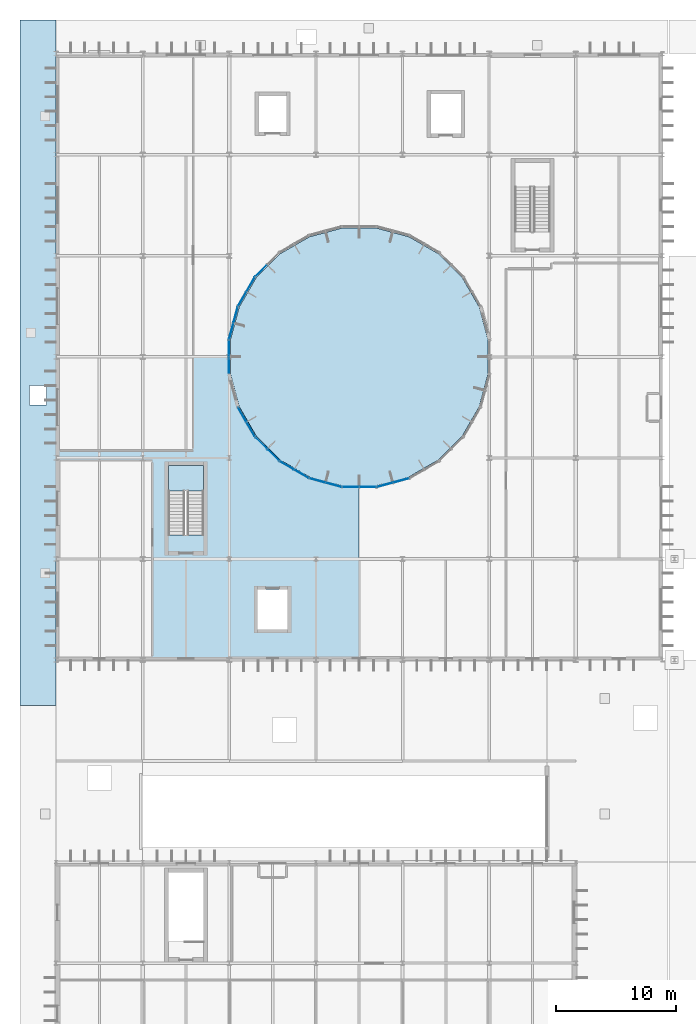
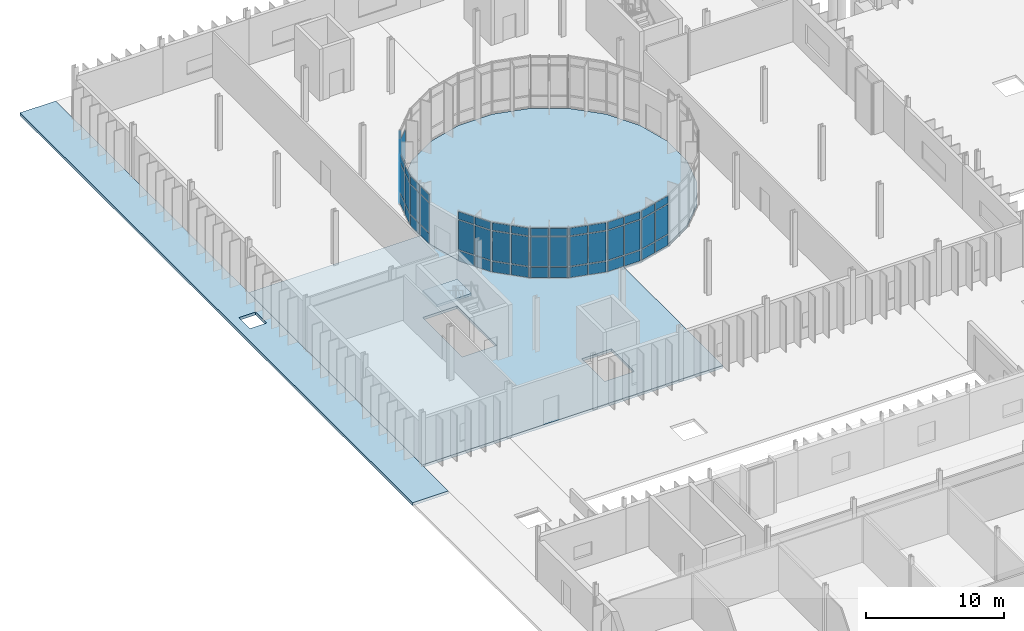
# One storey, part 59 of 118: 56 plates, 4 slabs, 11 elements without a shape of their own.
"""IFC4 building model written with IfcOpenShell, lengths in metres."""

import ifcopenshell
import ifcopenshell.guid

model = None  # the IFC model being written
_history = None  # IfcOwnerHistory: only IFC2X3 demands one
_inside = {}  # id of a spatial element -> (the spatial element, [elements in it])
_under = {}  # id of a project, library or spatial element -> (it, [spatial elements below it])
_declared = {}  # id of a project -> (the project, [libraries it declares])
_typed = {}  # id of a type object -> (the type object, [elements of that type])
_made_of = {}  # id of a material, layer set ... -> (it, [elements and type objects made of it])


def new_model(schema):
    """Start an empty IFC model of exactly this schema.

    Asked for "IFC4X3", IfcOpenShell would pick the latest addendum, in which some entities
    have other attributes; the version numbers below select the first issue.
    IFC2X3 requires an IfcOwnerHistory on every rooted entity: one is made here for all.
    """
    global model, _history
    if schema == "IFC4X3":
        model = ifcopenshell.file(schema_version=(4, 3, 0, 0))
    else:
        model = ifcopenshell.file(schema=schema)
    _inside.clear()
    _under.clear()
    _declared.clear()
    _typed.clear()
    _made_of.clear()
    _history = None
    if model.schema == "IFC2X3":
        org = make("IfcOrganization", Name="unknown")
        user = make(
            "IfcPersonAndOrganization",
            ThePerson=make("IfcPerson", FamilyName="unknown"),
            TheOrganization=org,
        )
        app = make(
            "IfcApplication",
            ApplicationDeveloper=org,
            Version="unknown",
            ApplicationFullName="unknown",
            ApplicationIdentifier="unknown",
        )
        _history = make(
            "IfcOwnerHistory",
            OwningUser=user,
            OwningApplication=app,
            ChangeAction="ADDED",
            CreationDate=0,
        )
    return model


def make(cls, **values):
    """One entity of the class cls with the attributes given. An attribute that is None is left unset."""
    return model.create_entity(
        cls, **{name: value for name, value in values.items() if value is not None}
    )


def rooted(cls, **values):
    """An entity with a GlobalId (a new one), such as an element, a storey or a relation."""
    return make(cls, GlobalId=ifcopenshell.guid.new(), OwnerHistory=_history, **values)


def si_unit(unit_type, name, prefix=None):
    """IfcSIUnit, for example si_unit("LENGTHUNIT", "METRE", prefix="MILLI")."""
    return make("IfcSIUnit", UnitType=unit_type, Prefix=prefix, Name=name)


def assignment(units):
    """IfcUnitAssignment: the units of a project."""
    return None if units is None else make("IfcUnitAssignment", Units=units)


def point(xyz):
    """IfcCartesianPoint."""
    return None if xyz is None else make("IfcCartesianPoint", Coordinates=xyz)


def direction(xyz):
    """IfcDirection."""
    return None if xyz is None else make("IfcDirection", DirectionRatios=xyz)


def frame(location, z_axis=None, x_axis=None):
    """IfcAxis2Placement3D, a coordinate frame: its origin and axes. An axis left out is left unset."""
    return make(
        "IfcAxis2Placement3D",
        Location=point(location),
        Axis=direction(z_axis),
        RefDirection=direction(x_axis),
    )


def frame_2d(location, x_axis=None):
    """IfcAxis2Placement2D, a coordinate frame in the plane: its origin and x axis."""
    return make(
        "IfcAxis2Placement2D", Location=point(location), RefDirection=direction(x_axis)
    )


def origin():
    """The frame at (0, 0, 0) with its axes left unset."""
    return frame((0.0, 0.0, 0.0))


def origin_2d():
    """The frame at (0, 0) in the plane with its x axis left unset."""
    return frame_2d((0.0, 0.0))


def place(relative_to, where):
    """IfcLocalPlacement: puts the frame where relative to a parent placement (None: the world)."""
    return make(
        "IfcLocalPlacement", PlacementRelTo=relative_to, RelativePlacement=where
    )


def context(
    kind, dimensions, precision=None, world=None, true_north=None, identifier=None
):
    """IfcGeometricRepresentationContext, for example the 3D "Model" context."""
    return make(
        "IfcGeometricRepresentationContext",
        ContextIdentifier=identifier,
        ContextType=kind,
        CoordinateSpaceDimension=dimensions,
        Precision=precision,
        WorldCoordinateSystem=world,
        TrueNorth=true_north,
    )


def subcontext(parent, identifier, kind, view, scale=None):
    """IfcGeometricRepresentationSubContext, for example "Body" below "Model"."""
    return make(
        "IfcGeometricRepresentationSubContext",
        ContextIdentifier=identifier,
        ContextType=kind,
        ParentContext=parent,
        TargetScale=scale,
        TargetView=view,
    )


def project(units=None, contexts=None):
    """IfcProject with its units and contexts."""
    return rooted(
        "IfcProject",
        Name="project",
        RepresentationContexts=contexts,
        UnitsInContext=assignment(units),
    )


def spatial(cls, under=None, at=None, **own):
    """A site, building, storey or space (cls), placed at a placement, below another one or the project."""
    s = rooted(cls, ObjectPlacement=at, **own)
    if under is not None:
        _under.setdefault(under.id(), (under, []))[1].append(s)
    return s


def polyline(points):
    """IfcPolyline through the points."""
    return make("IfcPolyline", Points=[point(p) for p in points])


def profile(cls, at=None, kind="AREA", **sizes):
    """A parametric profile (cls). Its sizes go by their IFC names, for example OverallWidth=200.0."""
    return make(cls, ProfileType=kind, Position=at, **sizes)


def rectangle(**sizes):
    """IfcRectangleProfileDef."""
    return profile("IfcRectangleProfileDef", **sizes)


def outline(outer, holes=None, kind="AREA"):
    """IfcArbitraryClosedProfileDef: a profile drawn as a closed curve; with holes, ...WithVoids."""
    if holes is None:
        return make("IfcArbitraryClosedProfileDef", ProfileType=kind, OuterCurve=outer)
    return make(
        "IfcArbitraryProfileDefWithVoids",
        ProfileType=kind,
        OuterCurve=outer,
        InnerCurves=holes,
    )


def extrude(swept, where, along, depth):
    """IfcExtrudedAreaSolid: the profile swept, set in the frame where, extruded along a direction by depth."""
    return make(
        "IfcExtrudedAreaSolid",
        SweptArea=swept,
        Position=where,
        ExtrudedDirection=direction(along),
        Depth=depth,
    )


def shape(context_of_items, identifier, shape_type, items):
    """IfcShapeRepresentation: the items that make up one representation, for example the "Body"."""
    return make(
        "IfcShapeRepresentation",
        ContextOfItems=context_of_items,
        RepresentationIdentifier=identifier,
        RepresentationType=shape_type,
        Items=items,
    )


def material(Name=None, Category=None):
    """IfcMaterial."""
    return make("IfcMaterial", Name=Name, Category=Category)


def layer(
    of_material, thickness, ventilated=None, Name=None, Category=None, Priority=None
):
    """IfcMaterialLayer: one layer of a wall or slab, of a material (None: an air gap)."""
    return make(
        "IfcMaterialLayer",
        Material=of_material,
        LayerThickness=thickness,
        IsVentilated=ventilated,
        Name=Name,
        Category=Category,
        Priority=Priority,
    )


def layer_set(layers, Name=None):
    """IfcMaterialLayerSet."""
    return make("IfcMaterialLayerSet", MaterialLayers=layers, LayerSetName=Name)


def made_of(thing, what):
    """Note that an element or type object is made of a material, layer set ...; save() writes the relation."""
    if what is not None:
        _made_of.setdefault(what.id(), (what, []))[1].append(thing)
    return thing


def type_object(cls, material=None, **own):
    """A type object (cls), such as IfcWallType, which elements share."""
    return made_of(rooted(cls, **own), material)


def element(
    cls,
    number,
    at=None,
    inside=None,
    cuts=None,
    type_object=None,
    material=None,
    context=None,
    identifier="Body",
    shape_type=None,
    held_by="IfcProductDefinitionShape",
    body=None,
    shapes=None,
    **own,
):
    """One element of the class cls, such as IfcWall. Its Tag is "e" and its number.

    at: its placement. inside: the storey or other place that contains it. cuts: it is an
    opening in that element (IfcRelVoidsElement). A single representation is given by context,
    identifier, shape_type and body (its items); several are given by shapes. held_by: the class
    of the entity that holds the representations. save() writes the other relations.
    """
    e = rooted(cls, Tag="e%d" % number, ObjectPlacement=at, **own)
    if body is not None:
        shapes = [shape(context, identifier, shape_type, body)]
    if shapes is not None:
        e.Representation = make(held_by, Representations=shapes)
    if inside is not None:
        _inside.setdefault(inside.id(), (inside, []))[1].append(e)
    if cuts is not None:
        rooted(
            "IfcRelVoidsElement", RelatingBuildingElement=cuts, RelatedOpeningElement=e
        )
    if type_object is not None:
        _typed.setdefault(type_object.id(), (type_object, []))[1].append(e)
    return made_of(e, material)


def aggregate(whole, parts):
    """IfcRelAggregates: a whole, such as a stair, and the parts it consists of."""
    return rooted("IfcRelAggregates", RelatingObject=whole, RelatedObjects=parts)


def save(model, path):
    """Write the relations noted so far, then the file.

    IfcRelAggregates (storeys below a building ...), IfcRelContainedInSpatialStructure (elements
    in a storey), IfcRelDefinesByType, IfcRelAssociatesMaterial and IfcRelDeclares: one each for
    every whole, place, type object, material and project.
    """
    for whole, parts in _under.values():
        aggregate(whole, parts)
    for where, things in _inside.values():
        rooted(
            "IfcRelContainedInSpatialStructure",
            RelatedElements=things,
            RelatingStructure=where,
        )
    for kind, things in _typed.values():
        rooted("IfcRelDefinesByType", RelatedObjects=things, RelatingType=kind)
    for what, things in _made_of.values():
        rooted("IfcRelAssociatesMaterial", RelatedObjects=things, RelatingMaterial=what)
    for by, libraries in _declared.values():
        rooted("IfcRelDeclares", RelatingContext=by, RelatedDefinitions=libraries)
    model.write(path)


model = new_model("IFC4")

# Units and contexts
model_context = context("Model", 3, precision=1e-05, world=origin(), true_north=direction((0.0, 1.0)))
body_context = subcontext(model_context, "Body", "Model", "MODEL_VIEW")
ifc_project = project(units=[si_unit("LENGTHUNIT", "METRE"), si_unit("AREAUNIT", "SQUARE_METRE"), si_unit("VOLUMEUNIT", "CUBIC_METRE"), si_unit("PLANEANGLEUNIT", "RADIAN"), si_unit("MASSUNIT", "GRAM", prefix="KILO")], contexts=[model_context])

# Site, building, storey
site_placement = place(None, origin())
site = spatial("IfcSite", under=ifc_project, at=site_placement, CompositionType="ELEMENT")
building_placement = place(site_placement, origin())
building = spatial("IfcBuilding", under=site, at=building_placement, Name="Qelthora Terrace Specialist Clinic", CompositionType="ELEMENT")
storey_placement = place(building_placement, origin())
storey = spatial("IfcBuildingStorey", under=building, at=storey_placement, Name="L00", CompositionType="ELEMENT", Elevation=0.0)

# Curtain wall, plates
ifc_material_1 = material(Name="Aluminium anodized bronze", Category="aluminium")
curtain_wall_type = type_object("IfcCurtainWallType", Name="CW-CRTW-L00", PredefinedType="NOTDEFINED", material=ifc_material_1)
curtain_wall_1_placement = place(storey_placement, origin())
curtain_wall_1 = element("IfcCurtainWall", 1, at=curtain_wall_1_placement, inside=storey, type_object=curtain_wall_type, Name="Curtain wall CW-CW-L00-09", PredefinedType="NOTDEFINED")
ifc_material_2 = material(Name="Low-E triple-silver insulating glass", Category="glass")
ifc_layer_1 = layer(ifc_material_2, 0.035888671875)
ifc_layer_set_1 = layer_set([ifc_layer_1], Name="Low-E triple-silver insulating glass")
plate_type = type_object("IfcPlateType", Name="CWP-IGU-36", PredefinedType="CURTAIN_PANEL", material=ifc_layer_set_1)
plate_1_placement = place(storey_placement, frame((17.04541015625, 91.157958984375, 0.0849609375), z_axis=(0.0, 0.0, 1.0), x_axis=(-0.707106781187, -0.707106781187, 0.0)))
plate_1 = element("IfcPlate", 2, at=plate_1_placement, type_object=plate_type, Name="CW-CW-L00-09 glazed panel 4", PredefinedType="CURTAIN_PANEL", context=body_context, shape_type="SweptSolid", body=[
    extrude(rectangle(XDim=1.3095703125, YDim=0.035888671875, at=origin_2d()), origin(), (0.0, 0.0, 1.0), 0.919921875),
])
plate_2_placement = place(storey_placement, frame((17.04541015625, 91.157958984375, 1.094970703125), z_axis=(0.0, 0.0, 1.0), x_axis=(-0.707106781187, -0.707106781187, 0.0)))
plate_2 = element("IfcPlate", 3, at=plate_2_placement, type_object=plate_type, Name="CW-CW-L00-09 glazed panel 5", PredefinedType="CURTAIN_PANEL", context=body_context, shape_type="SweptSolid", body=[
    extrude(rectangle(XDim=1.3095703125, YDim=0.035888671875, at=origin_2d()), origin(), (0.0, 0.0, 1.0), 2.60498046875),
])
aggregate(curtain_wall_1, [plate_1, plate_2])

curtain_wall_2_placement = place(storey_placement, origin())
curtain_wall_2 = element("IfcCurtainWall", 4, at=curtain_wall_2_placement, inside=storey, type_object=curtain_wall_type, Name="Curtain wall CW-CW-L00-10", PredefinedType="NOTDEFINED")
plate_3_placement = place(storey_placement, frame((16.175537109375, 90.024169921875, 0.0849609375), z_axis=(0.0, 0.0, 1.0), x_axis=(-0.5, -0.866025403784, 0.0)))
plate_3 = element("IfcPlate", 5, at=plate_3_placement, type_object=plate_type, Name="CW-CW-L00-10 glazed panel 1", PredefinedType="CURTAIN_PANEL", context=body_context, shape_type="SweptSolid", body=[
    extrude(rectangle(XDim=1.3095703125, YDim=0.035888671875, at=origin_2d()), origin(), (0.0, 0.0, 1.0), 0.919921875),
])
plate_4_placement = place(storey_placement, frame((16.175537109375, 90.024169921875, 1.094970703125), z_axis=(0.0, 0.0, 1.0), x_axis=(-0.5, -0.866025403784, 0.0)))
plate_4 = element("IfcPlate", 6, at=plate_4_placement, type_object=plate_type, Name="CW-CW-L00-10 glazed panel 2", PredefinedType="CURTAIN_PANEL", context=body_context, shape_type="SweptSolid", body=[
    extrude(rectangle(XDim=1.3095703125, YDim=0.035888671875, at=origin_2d()), origin(), (0.0, 0.0, 1.0), 2.60498046875),
])
plate_5_placement = place(storey_placement, frame((16.175537109375, 90.024169921875, 3.7900390625), z_axis=(0.0, 0.0, 1.0), x_axis=(-0.5, -0.866025403784, 0.0)))
plate_5 = element("IfcPlate", 7, at=plate_5_placement, type_object=plate_type, Name="CW-CW-L00-10 glazed panel 3", PredefinedType="CURTAIN_PANEL", context=body_context, shape_type="SweptSolid", body=[
    extrude(rectangle(XDim=1.3095703125, YDim=0.035888671875, at=origin_2d()), origin(), (0.0, 0.0, 1.0), 0.669921875),
])
plate_6_placement = place(storey_placement, frame((15.470703125, 88.803466796875, 0.0849609375), z_axis=(0.0, 0.0, 1.0), x_axis=(-0.5, -0.866025403784, 0.0)))
plate_6 = element("IfcPlate", 8, at=plate_6_placement, type_object=plate_type, Name="CW-CW-L00-10 glazed panel 4", PredefinedType="CURTAIN_PANEL", context=body_context, shape_type="SweptSolid", body=[
    extrude(rectangle(XDim=1.3095703125, YDim=0.035888671875, at=origin_2d()), origin(), (0.0, 0.0, 1.0), 0.919921875),
])
plate_7_placement = place(storey_placement, frame((15.470703125, 88.803466796875, 1.094970703125), z_axis=(0.0, 0.0, 1.0), x_axis=(-0.5, -0.866025403784, 0.0)))
plate_7 = element("IfcPlate", 9, at=plate_7_placement, type_object=plate_type, Name="CW-CW-L00-10 glazed panel 5", PredefinedType="CURTAIN_PANEL", context=body_context, shape_type="SweptSolid", body=[
    extrude(rectangle(XDim=1.3095703125, YDim=0.035888671875, at=origin_2d()), origin(), (0.0, 0.0, 1.0), 2.60498046875),
])
plate_8_placement = place(storey_placement, frame((15.470703125, 88.803466796875, 3.7900390625), z_axis=(0.0, 0.0, 1.0), x_axis=(-0.5, -0.866025403784, 0.0)))
plate_8 = element("IfcPlate", 10, at=plate_8_placement, type_object=plate_type, Name="CW-CW-L00-10 glazed panel 6", PredefinedType="CURTAIN_PANEL", context=body_context, shape_type="SweptSolid", body=[
    extrude(rectangle(XDim=1.3095703125, YDim=0.035888671875, at=origin_2d()), origin(), (0.0, 0.0, 1.0), 0.669921875),
])
aggregate(curtain_wall_2, [plate_3, plate_4, plate_5, plate_6, plate_7, plate_8])

curtain_wall_3_placement = place(storey_placement, origin())
curtain_wall_3 = element("IfcCurtainWall", 11, at=curtain_wall_3_placement, inside=storey, type_object=curtain_wall_type, Name="Curtain wall CW-CW-L00-11", PredefinedType="NOTDEFINED")
plate_9_placement = place(storey_placement, frame((14.923828125, 87.483154296875, 0.0849609375), z_axis=(0.0, 0.0, 1.0), x_axis=(-0.258820730961, -0.965925374563, 0.0)))
plate_9 = element("IfcPlate", 12, at=plate_9_placement, type_object=plate_type, Name="CW-CW-L00-11 glazed panel 1", PredefinedType="CURTAIN_PANEL", context=body_context, shape_type="SweptSolid", body=[
    extrude(rectangle(XDim=1.3095703125, YDim=0.035888671875, at=origin_2d()), origin(), (0.0, 0.0, 1.0), 0.919921875),
])
plate_10_placement = place(storey_placement, frame((14.923828125, 87.483154296875, 1.094970703125), z_axis=(0.0, 0.0, 1.0), x_axis=(-0.258820730961, -0.965925374563, 0.0)))
plate_10 = element("IfcPlate", 13, at=plate_10_placement, type_object=plate_type, Name="CW-CW-L00-11 glazed panel 2", PredefinedType="CURTAIN_PANEL", context=body_context, shape_type="SweptSolid", body=[
    extrude(rectangle(XDim=1.3095703125, YDim=0.035888671875, at=origin_2d()), origin(), (0.0, 0.0, 1.0), 2.60498046875),
])
plate_11_placement = place(storey_placement, frame((14.923828125, 87.483154296875, 3.7900390625), z_axis=(0.0, 0.0, 1.0), x_axis=(-0.258820730961, -0.965925374563, 0.0)))
plate_11 = element("IfcPlate", 14, at=plate_11_placement, type_object=plate_type, Name="CW-CW-L00-11 glazed panel 3", PredefinedType="CURTAIN_PANEL", context=body_context, shape_type="SweptSolid", body=[
    extrude(rectangle(XDim=1.3095703125, YDim=0.035888671875, at=origin_2d()), origin(), (0.0, 0.0, 1.0), 0.669921875),
])
plate_12_placement = place(storey_placement, frame((14.558837890625, 86.12158203125, 0.0849609375), z_axis=(0.0, 0.0, 1.0), x_axis=(-0.258820730961, -0.965925374563, 0.0)))
plate_12 = element("IfcPlate", 15, at=plate_12_placement, type_object=plate_type, Name="CW-CW-L00-11 glazed panel 4", PredefinedType="CURTAIN_PANEL", context=body_context, shape_type="SweptSolid", body=[
    extrude(rectangle(XDim=1.3095703125, YDim=0.035888671875, at=origin_2d()), origin(), (0.0, 0.0, 1.0), 0.919921875),
])
plate_13_placement = place(storey_placement, frame((14.558837890625, 86.12158203125, 1.094970703125), z_axis=(0.0, 0.0, 1.0), x_axis=(-0.258820730961, -0.965925374563, 0.0)))
plate_13 = element("IfcPlate", 16, at=plate_13_placement, type_object=plate_type, Name="CW-CW-L00-11 glazed panel 5", PredefinedType="CURTAIN_PANEL", context=body_context, shape_type="SweptSolid", body=[
    extrude(rectangle(XDim=1.3095703125, YDim=0.035888671875, at=origin_2d()), origin(), (0.0, 0.0, 1.0), 2.60498046875),
])
plate_14_placement = place(storey_placement, frame((14.558837890625, 86.12158203125, 3.7900390625), z_axis=(0.0, 0.0, 1.0), x_axis=(-0.258820730961, -0.965925374563, 0.0)))
plate_14 = element("IfcPlate", 17, at=plate_14_placement, type_object=plate_type, Name="CW-CW-L00-11 glazed panel 6", PredefinedType="CURTAIN_PANEL", context=body_context, shape_type="SweptSolid", body=[
    extrude(rectangle(XDim=1.3095703125, YDim=0.035888671875, at=origin_2d()), origin(), (0.0, 0.0, 1.0), 0.669921875),
])
aggregate(curtain_wall_3, [plate_9, plate_10, plate_11, plate_12, plate_13, plate_14])

curtain_wall_4_placement = place(storey_placement, origin())
curtain_wall_4 = element("IfcCurtainWall", 18, at=curtain_wall_4_placement, inside=storey, type_object=curtain_wall_type, Name="Curtain wall CW-CW-L00-12", PredefinedType="NOTDEFINED")
plate_15_placement = place(storey_placement, frame((14.372314453125, 84.704833984375, 0.0849609375), z_axis=(0.0, 0.0, 1.0), x_axis=(0.0, -1.0, 0.0)))
plate_15 = element("IfcPlate", 19, at=plate_15_placement, type_object=plate_type, Name="CW-CW-L00-12 glazed panel 1", PredefinedType="CURTAIN_PANEL", context=body_context, shape_type="SweptSolid", body=[
    extrude(rectangle(XDim=1.3095703125, YDim=0.035888671875, at=origin_2d()), origin(), (0.0, 0.0, 1.0), 0.919921875),
])
plate_16_placement = place(storey_placement, frame((14.372314453125, 84.704833984375, 1.094970703125), z_axis=(0.0, 0.0, 1.0), x_axis=(0.0, -1.0, 0.0)))
plate_16 = element("IfcPlate", 20, at=plate_16_placement, type_object=plate_type, Name="CW-CW-L00-12 glazed panel 2", PredefinedType="CURTAIN_PANEL", context=body_context, shape_type="SweptSolid", body=[
    extrude(rectangle(XDim=1.3095703125, YDim=0.035888671875, at=origin_2d()), origin(), (0.0, 0.0, 1.0), 2.60498046875),
])
plate_17_placement = place(storey_placement, frame((14.372314453125, 84.704833984375, 3.7900390625), z_axis=(0.0, 0.0, 1.0), x_axis=(0.0, -1.0, 0.0)))
plate_17 = element("IfcPlate", 21, at=plate_17_placement, type_object=plate_type, Name="CW-CW-L00-12 glazed panel 3", PredefinedType="CURTAIN_PANEL", context=body_context, shape_type="SweptSolid", body=[
    extrude(rectangle(XDim=1.3095703125, YDim=0.035888671875, at=origin_2d()), origin(), (0.0, 0.0, 1.0), 0.669921875),
])
plate_18_placement = place(storey_placement, frame((14.372314453125, 83.295166015625, 0.0849609375), z_axis=(0.0, 0.0, 1.0), x_axis=(0.0, -1.0, 0.0)))
plate_18 = element("IfcPlate", 22, at=plate_18_placement, type_object=plate_type, Name="CW-CW-L00-12 glazed panel 4", PredefinedType="CURTAIN_PANEL", context=body_context, shape_type="SweptSolid", body=[
    extrude(rectangle(XDim=1.3095703125, YDim=0.035888671875, at=origin_2d()), origin(), (0.0, 0.0, 1.0), 0.919921875),
])
plate_19_placement = place(storey_placement, frame((14.372314453125, 83.295166015625, 1.094970703125), z_axis=(0.0, 0.0, 1.0), x_axis=(0.0, -1.0, 0.0)))
plate_19 = element("IfcPlate", 23, at=plate_19_placement, type_object=plate_type, Name="CW-CW-L00-12 glazed panel 5", PredefinedType="CURTAIN_PANEL", context=body_context, shape_type="SweptSolid", body=[
    extrude(rectangle(XDim=1.3095703125, YDim=0.035888671875, at=origin_2d()), origin(), (0.0, 0.0, 1.0), 2.60498046875),
])
plate_20_placement = place(storey_placement, frame((14.372314453125, 83.295166015625, 3.7900390625), z_axis=(0.0, 0.0, 1.0), x_axis=(0.0, -1.0, 0.0)))
plate_20 = element("IfcPlate", 24, at=plate_20_placement, type_object=plate_type, Name="CW-CW-L00-12 glazed panel 6", PredefinedType="CURTAIN_PANEL", context=body_context, shape_type="SweptSolid", body=[
    extrude(rectangle(XDim=1.3095703125, YDim=0.035888671875, at=origin_2d()), origin(), (0.0, 0.0, 1.0), 0.669921875),
])
aggregate(curtain_wall_4, [plate_15, plate_16, plate_17, plate_18, plate_19, plate_20])

curtain_wall_5_placement = place(storey_placement, origin())
curtain_wall_5 = element("IfcCurtainWall", 25, at=curtain_wall_5_placement, inside=storey, type_object=curtain_wall_type, Name="Curtain wall CW-CW-L00-14", PredefinedType="NOTDEFINED")
plate_21_placement = place(storey_placement, frame((15.470703125, 79.196533203125, 0.0849609375), z_axis=(0.0, 0.0, 1.0), x_axis=(0.5, -0.866025403784, 0.0)))
plate_21 = element("IfcPlate", 26, at=plate_21_placement, type_object=plate_type, Name="CW-CW-L00-14 glazed panel 1", PredefinedType="CURTAIN_PANEL", context=body_context, shape_type="SweptSolid", body=[
    extrude(rectangle(XDim=1.3095703125, YDim=0.035888671875, at=origin_2d()), origin(), (0.0, 0.0, 1.0), 0.919921875),
])
plate_22_placement = place(storey_placement, frame((15.470703125, 79.196533203125, 1.094970703125), z_axis=(0.0, 0.0, 1.0), x_axis=(0.5, -0.866025403784, 0.0)))
plate_22 = element("IfcPlate", 27, at=plate_22_placement, type_object=plate_type, Name="CW-CW-L00-14 glazed panel 2", PredefinedType="CURTAIN_PANEL", context=body_context, shape_type="SweptSolid", body=[
    extrude(rectangle(XDim=1.3095703125, YDim=0.035888671875, at=origin_2d()), origin(), (0.0, 0.0, 1.0), 2.60498046875),
])
plate_23_placement = place(storey_placement, frame((15.470703125, 79.196533203125, 3.7900390625), z_axis=(0.0, 0.0, 1.0), x_axis=(0.5, -0.866025403784, 0.0)))
plate_23 = element("IfcPlate", 28, at=plate_23_placement, type_object=plate_type, Name="CW-CW-L00-14 glazed panel 3", PredefinedType="CURTAIN_PANEL", context=body_context, shape_type="SweptSolid", body=[
    extrude(rectangle(XDim=1.3095703125, YDim=0.035888671875, at=origin_2d()), origin(), (0.0, 0.0, 1.0), 0.669921875),
])
plate_24_placement = place(storey_placement, frame((16.175537109375, 77.975830078125, 0.0849609375), z_axis=(0.0, 0.0, 1.0), x_axis=(0.5, -0.866025403784, 0.0)))
plate_24 = element("IfcPlate", 29, at=plate_24_placement, type_object=plate_type, Name="CW-CW-L00-14 glazed panel 4", PredefinedType="CURTAIN_PANEL", context=body_context, shape_type="SweptSolid", body=[
    extrude(rectangle(XDim=1.3095703125, YDim=0.035888671875, at=origin_2d()), origin(), (0.0, 0.0, 1.0), 0.919921875),
])
plate_25_placement = place(storey_placement, frame((16.175537109375, 77.975830078125, 1.094970703125), z_axis=(0.0, 0.0, 1.0), x_axis=(0.5, -0.866025403784, 0.0)))
plate_25 = element("IfcPlate", 30, at=plate_25_placement, type_object=plate_type, Name="CW-CW-L00-14 glazed panel 5", PredefinedType="CURTAIN_PANEL", context=body_context, shape_type="SweptSolid", body=[
    extrude(rectangle(XDim=1.3095703125, YDim=0.035888671875, at=origin_2d()), origin(), (0.0, 0.0, 1.0), 2.60498046875),
])
plate_26_placement = place(storey_placement, frame((16.175537109375, 77.975830078125, 3.7900390625), z_axis=(0.0, 0.0, 1.0), x_axis=(0.5, -0.866025403784, 0.0)))
plate_26 = element("IfcPlate", 31, at=plate_26_placement, type_object=plate_type, Name="CW-CW-L00-14 glazed panel 6", PredefinedType="CURTAIN_PANEL", context=body_context, shape_type="SweptSolid", body=[
    extrude(rectangle(XDim=1.3095703125, YDim=0.035888671875, at=origin_2d()), origin(), (0.0, 0.0, 1.0), 0.669921875),
])
aggregate(curtain_wall_5, [plate_21, plate_22, plate_23, plate_24, plate_25, plate_26])

curtain_wall_6_placement = place(storey_placement, origin())
curtain_wall_6 = element("IfcCurtainWall", 32, at=curtain_wall_6_placement, inside=storey, type_object=curtain_wall_type, Name="Curtain wall CW-CW-L00-15", PredefinedType="NOTDEFINED")
plate_27_placement = place(storey_placement, frame((17.04541015625, 76.842041015625, 0.0849609375), z_axis=(0.0, 0.0, 1.0), x_axis=(0.707106781187, -0.707106781187, 0.0)))
plate_27 = element("IfcPlate", 33, at=plate_27_placement, type_object=plate_type, Name="CW-CW-L00-15 glazed panel 1", PredefinedType="CURTAIN_PANEL", context=body_context, shape_type="SweptSolid", body=[
    extrude(rectangle(XDim=1.3095703125, YDim=0.035888671875, at=origin_2d()), origin(), (0.0, 0.0, 1.0), 0.919921875),
])
plate_28_placement = place(storey_placement, frame((17.04541015625, 76.842041015625, 1.094970703125), z_axis=(0.0, 0.0, 1.0), x_axis=(0.707106781187, -0.707106781187, 0.0)))
plate_28 = element("IfcPlate", 34, at=plate_28_placement, type_object=plate_type, Name="CW-CW-L00-15 glazed panel 2", PredefinedType="CURTAIN_PANEL", context=body_context, shape_type="SweptSolid", body=[
    extrude(rectangle(XDim=1.3095703125, YDim=0.035888671875, at=origin_2d()), origin(), (0.0, 0.0, 1.0), 2.60498046875),
])
plate_29_placement = place(storey_placement, frame((17.04541015625, 76.842041015625, 3.7900390625), z_axis=(0.0, 0.0, 1.0), x_axis=(0.707106781187, -0.707106781187, 0.0)))
plate_29 = element("IfcPlate", 35, at=plate_29_placement, type_object=plate_type, Name="CW-CW-L00-15 glazed panel 3", PredefinedType="CURTAIN_PANEL", context=body_context, shape_type="SweptSolid", body=[
    extrude(rectangle(XDim=1.3095703125, YDim=0.035888671875, at=origin_2d()), origin(), (0.0, 0.0, 1.0), 0.669921875),
])
plate_30_placement = place(storey_placement, frame((18.042236328125, 75.84521484375, 0.0849609375), z_axis=(0.0, 0.0, 1.0), x_axis=(0.707106781187, -0.707106781187, 0.0)))
plate_30 = element("IfcPlate", 36, at=plate_30_placement, type_object=plate_type, Name="CW-CW-L00-15 glazed panel 4", PredefinedType="CURTAIN_PANEL", context=body_context, shape_type="SweptSolid", body=[
    extrude(rectangle(XDim=1.3095703125, YDim=0.035888671875, at=origin_2d()), origin(), (0.0, 0.0, 1.0), 0.919921875),
])
plate_31_placement = place(storey_placement, frame((18.042236328125, 75.84521484375, 1.094970703125), z_axis=(0.0, 0.0, 1.0), x_axis=(0.707106781187, -0.707106781187, 0.0)))
plate_31 = element("IfcPlate", 37, at=plate_31_placement, type_object=plate_type, Name="CW-CW-L00-15 glazed panel 5", PredefinedType="CURTAIN_PANEL", context=body_context, shape_type="SweptSolid", body=[
    extrude(rectangle(XDim=1.3095703125, YDim=0.035888671875, at=origin_2d()), origin(), (0.0, 0.0, 1.0), 2.60498046875),
])
plate_32_placement = place(storey_placement, frame((18.042236328125, 75.84521484375, 3.7900390625), z_axis=(0.0, 0.0, 1.0), x_axis=(0.707106781187, -0.707106781187, 0.0)))
plate_32 = element("IfcPlate", 38, at=plate_32_placement, type_object=plate_type, Name="CW-CW-L00-15 glazed panel 6", PredefinedType="CURTAIN_PANEL", context=body_context, shape_type="SweptSolid", body=[
    extrude(rectangle(XDim=1.3095703125, YDim=0.035888671875, at=origin_2d()), origin(), (0.0, 0.0, 1.0), 0.669921875),
])
aggregate(curtain_wall_6, [plate_27, plate_28, plate_29, plate_30, plate_31, plate_32])

curtain_wall_7_placement = place(storey_placement, origin())
curtain_wall_7 = element("IfcCurtainWall", 39, at=curtain_wall_7_placement, inside=storey, type_object=curtain_wall_type, Name="Curtain wall CW-CW-L00-16", PredefinedType="NOTDEFINED")
plate_33_placement = place(storey_placement, frame((19.17578125, 74.975341796875, 0.0849609375), z_axis=(0.0, 0.0, 1.0), x_axis=(0.866025403784, -0.5, 0.0)))
plate_33 = element("IfcPlate", 40, at=plate_33_placement, type_object=plate_type, Name="CW-CW-L00-16 glazed panel 1", PredefinedType="CURTAIN_PANEL", context=body_context, shape_type="SweptSolid", body=[
    extrude(rectangle(XDim=1.3095703125, YDim=0.035888671875, at=origin_2d()), origin(), (0.0, 0.0, 1.0), 0.919921875),
])
plate_34_placement = place(storey_placement, frame((19.17578125, 74.975341796875, 1.094970703125), z_axis=(0.0, 0.0, 1.0), x_axis=(0.866025403784, -0.5, 0.0)))
plate_34 = element("IfcPlate", 41, at=plate_34_placement, type_object=plate_type, Name="CW-CW-L00-16 glazed panel 2", PredefinedType="CURTAIN_PANEL", context=body_context, shape_type="SweptSolid", body=[
    extrude(rectangle(XDim=1.3095703125, YDim=0.035888671875, at=origin_2d()), origin(), (0.0, 0.0, 1.0), 2.60498046875),
])
plate_35_placement = place(storey_placement, frame((19.17578125, 74.975341796875, 3.7900390625), z_axis=(0.0, 0.0, 1.0), x_axis=(0.866025403784, -0.5, 0.0)))
plate_35 = element("IfcPlate", 42, at=plate_35_placement, type_object=plate_type, Name="CW-CW-L00-16 glazed panel 3", PredefinedType="CURTAIN_PANEL", context=body_context, shape_type="SweptSolid", body=[
    extrude(rectangle(XDim=1.3095703125, YDim=0.035888671875, at=origin_2d()), origin(), (0.0, 0.0, 1.0), 0.669921875),
])
plate_36_placement = place(storey_placement, frame((20.396728515625, 74.2705078125, 0.0849609375), z_axis=(0.0, 0.0, 1.0), x_axis=(0.866025403784, -0.5, 0.0)))
plate_36 = element("IfcPlate", 43, at=plate_36_placement, type_object=plate_type, Name="CW-CW-L00-16 glazed panel 4", PredefinedType="CURTAIN_PANEL", context=body_context, shape_type="SweptSolid", body=[
    extrude(rectangle(XDim=1.3095703125, YDim=0.035888671875, at=origin_2d()), origin(), (0.0, 0.0, 1.0), 0.919921875),
])
plate_37_placement = place(storey_placement, frame((20.396728515625, 74.2705078125, 1.094970703125), z_axis=(0.0, 0.0, 1.0), x_axis=(0.866025403784, -0.5, 0.0)))
plate_37 = element("IfcPlate", 44, at=plate_37_placement, type_object=plate_type, Name="CW-CW-L00-16 glazed panel 5", PredefinedType="CURTAIN_PANEL", context=body_context, shape_type="SweptSolid", body=[
    extrude(rectangle(XDim=1.3095703125, YDim=0.035888671875, at=origin_2d()), origin(), (0.0, 0.0, 1.0), 2.60498046875),
])
plate_38_placement = place(storey_placement, frame((20.396728515625, 74.2705078125, 3.7900390625), z_axis=(0.0, 0.0, 1.0), x_axis=(0.866025403784, -0.5, 0.0)))
plate_38 = element("IfcPlate", 45, at=plate_38_placement, type_object=plate_type, Name="CW-CW-L00-16 glazed panel 6", PredefinedType="CURTAIN_PANEL", context=body_context, shape_type="SweptSolid", body=[
    extrude(rectangle(XDim=1.3095703125, YDim=0.035888671875, at=origin_2d()), origin(), (0.0, 0.0, 1.0), 0.669921875),
])
aggregate(curtain_wall_7, [plate_33, plate_34, plate_35, plate_36, plate_37, plate_38])

curtain_wall_8_placement = place(storey_placement, origin())
curtain_wall_8 = element("IfcCurtainWall", 46, at=curtain_wall_8_placement, inside=storey, type_object=curtain_wall_type, Name="Curtain wall CW-CW-L00-17", PredefinedType="NOTDEFINED")
plate_39_placement = place(storey_placement, frame((21.716796875, 73.723876953125, 0.0849609375), z_axis=(0.0, 0.0, 1.0), x_axis=(0.965925374563, -0.258820730961, 0.0)))
plate_39 = element("IfcPlate", 47, at=plate_39_placement, type_object=plate_type, Name="CW-CW-L00-17 glazed panel 1", PredefinedType="CURTAIN_PANEL", context=body_context, shape_type="SweptSolid", body=[
    extrude(rectangle(XDim=1.3095703125, YDim=0.035888671875, at=origin_2d()), origin(), (0.0, 0.0, 1.0), 0.919921875),
])
plate_40_placement = place(storey_placement, frame((21.716796875, 73.723876953125, 1.094970703125), z_axis=(0.0, 0.0, 1.0), x_axis=(0.965925374563, -0.258820730961, 0.0)))
plate_40 = element("IfcPlate", 48, at=plate_40_placement, type_object=plate_type, Name="CW-CW-L00-17 glazed panel 2", PredefinedType="CURTAIN_PANEL", context=body_context, shape_type="SweptSolid", body=[
    extrude(rectangle(XDim=1.3095703125, YDim=0.035888671875, at=origin_2d()), origin(), (0.0, 0.0, 1.0), 2.60498046875),
])
plate_41_placement = place(storey_placement, frame((21.716796875, 73.723876953125, 3.7900390625), z_axis=(0.0, 0.0, 1.0), x_axis=(0.965925374563, -0.258820730961, 0.0)))
plate_41 = element("IfcPlate", 49, at=plate_41_placement, type_object=plate_type, Name="CW-CW-L00-17 glazed panel 3", PredefinedType="CURTAIN_PANEL", context=body_context, shape_type="SweptSolid", body=[
    extrude(rectangle(XDim=1.3095703125, YDim=0.035888671875, at=origin_2d()), origin(), (0.0, 0.0, 1.0), 0.669921875),
])
plate_42_placement = place(storey_placement, frame((23.078369140625, 73.35888671875, 0.0849609375), z_axis=(0.0, 0.0, 1.0), x_axis=(0.965925374563, -0.258820730961, 0.0)))
plate_42 = element("IfcPlate", 50, at=plate_42_placement, type_object=plate_type, Name="CW-CW-L00-17 glazed panel 4", PredefinedType="CURTAIN_PANEL", context=body_context, shape_type="SweptSolid", body=[
    extrude(rectangle(XDim=1.3095703125, YDim=0.035888671875, at=origin_2d()), origin(), (0.0, 0.0, 1.0), 0.919921875),
])
plate_43_placement = place(storey_placement, frame((23.078369140625, 73.35888671875, 1.094970703125), z_axis=(0.0, 0.0, 1.0), x_axis=(0.965925374563, -0.258820730961, 0.0)))
plate_43 = element("IfcPlate", 51, at=plate_43_placement, type_object=plate_type, Name="CW-CW-L00-17 glazed panel 5", PredefinedType="CURTAIN_PANEL", context=body_context, shape_type="SweptSolid", body=[
    extrude(rectangle(XDim=1.3095703125, YDim=0.035888671875, at=origin_2d()), origin(), (0.0, 0.0, 1.0), 2.60498046875),
])
plate_44_placement = place(storey_placement, frame((23.078369140625, 73.35888671875, 3.7900390625), z_axis=(0.0, 0.0, 1.0), x_axis=(0.965925374563, -0.258820730961, 0.0)))
plate_44 = element("IfcPlate", 52, at=plate_44_placement, type_object=plate_type, Name="CW-CW-L00-17 glazed panel 6", PredefinedType="CURTAIN_PANEL", context=body_context, shape_type="SweptSolid", body=[
    extrude(rectangle(XDim=1.3095703125, YDim=0.035888671875, at=origin_2d()), origin(), (0.0, 0.0, 1.0), 0.669921875),
])
aggregate(curtain_wall_8, [plate_39, plate_40, plate_41, plate_42, plate_43, plate_44])

curtain_wall_9_placement = place(storey_placement, origin())
curtain_wall_9 = element("IfcCurtainWall", 53, at=curtain_wall_9_placement, inside=storey, type_object=curtain_wall_type, Name="Curtain wall CW-CW-L00-18", PredefinedType="NOTDEFINED")
plate_45_placement = place(storey_placement, frame((24.4951171875, 73.17236328125, 0.0849609375), z_axis=(0.0, 0.0, 1.0), x_axis=(1.0, 0.0, 0.0)))
plate_45 = element("IfcPlate", 54, at=plate_45_placement, type_object=plate_type, Name="CW-CW-L00-18 glazed panel 1", PredefinedType="CURTAIN_PANEL", context=body_context, shape_type="SweptSolid", body=[
    extrude(rectangle(XDim=1.3095703125, YDim=0.035888671875, at=origin_2d()), origin(), (0.0, 0.0, 1.0), 0.919921875),
])
plate_46_placement = place(storey_placement, frame((24.4951171875, 73.17236328125, 1.094970703125), z_axis=(0.0, 0.0, 1.0), x_axis=(1.0, 0.0, 0.0)))
plate_46 = element("IfcPlate", 55, at=plate_46_placement, type_object=plate_type, Name="CW-CW-L00-18 glazed panel 2", PredefinedType="CURTAIN_PANEL", context=body_context, shape_type="SweptSolid", body=[
    extrude(rectangle(XDim=1.3095703125, YDim=0.035888671875, at=origin_2d()), origin(), (0.0, 0.0, 1.0), 2.60498046875),
])
plate_47_placement = place(storey_placement, frame((24.4951171875, 73.17236328125, 3.7900390625), z_axis=(0.0, 0.0, 1.0), x_axis=(1.0, 0.0, 0.0)))
plate_47 = element("IfcPlate", 56, at=plate_47_placement, type_object=plate_type, Name="CW-CW-L00-18 glazed panel 3", PredefinedType="CURTAIN_PANEL", context=body_context, shape_type="SweptSolid", body=[
    extrude(rectangle(XDim=1.3095703125, YDim=0.035888671875, at=origin_2d()), origin(), (0.0, 0.0, 1.0), 0.669921875),
])
plate_48_placement = place(storey_placement, frame((25.90478515625, 73.17236328125, 0.0849609375), z_axis=(0.0, 0.0, 1.0), x_axis=(1.0, 0.0, 0.0)))
plate_48 = element("IfcPlate", 57, at=plate_48_placement, type_object=plate_type, Name="CW-CW-L00-18 glazed panel 4", PredefinedType="CURTAIN_PANEL", context=body_context, shape_type="SweptSolid", body=[
    extrude(rectangle(XDim=1.3095703125, YDim=0.035888671875, at=origin_2d()), origin(), (0.0, 0.0, 1.0), 0.919921875),
])
plate_49_placement = place(storey_placement, frame((25.90478515625, 73.17236328125, 1.094970703125), z_axis=(0.0, 0.0, 1.0), x_axis=(1.0, 0.0, 0.0)))
plate_49 = element("IfcPlate", 58, at=plate_49_placement, type_object=plate_type, Name="CW-CW-L00-18 glazed panel 5", PredefinedType="CURTAIN_PANEL", context=body_context, shape_type="SweptSolid", body=[
    extrude(rectangle(XDim=1.3095703125, YDim=0.035888671875, at=origin_2d()), origin(), (0.0, 0.0, 1.0), 2.60498046875),
])
plate_50_placement = place(storey_placement, frame((25.90478515625, 73.17236328125, 3.7900390625), z_axis=(0.0, 0.0, 1.0), x_axis=(1.0, 0.0, 0.0)))
plate_50 = element("IfcPlate", 59, at=plate_50_placement, type_object=plate_type, Name="CW-CW-L00-18 glazed panel 6", PredefinedType="CURTAIN_PANEL", context=body_context, shape_type="SweptSolid", body=[
    extrude(rectangle(XDim=1.3095703125, YDim=0.035888671875, at=origin_2d()), origin(), (0.0, 0.0, 1.0), 0.669921875),
])
aggregate(curtain_wall_9, [plate_45, plate_46, plate_47, plate_48, plate_49, plate_50])

curtain_wall_10_placement = place(storey_placement, origin())
curtain_wall_10 = element("IfcCurtainWall", 60, at=curtain_wall_10_placement, inside=storey, type_object=curtain_wall_type, Name="Curtain wall CW-CW-L00-19", PredefinedType="NOTDEFINED")
plate_51_placement = place(storey_placement, frame((27.321533203125, 73.35888671875, 0.0849609375), z_axis=(0.0, 0.0, 1.0), x_axis=(0.965925374563, 0.258820730961, 0.0)))
plate_51 = element("IfcPlate", 61, at=plate_51_placement, type_object=plate_type, Name="CW-CW-L00-19 glazed panel 1", PredefinedType="CURTAIN_PANEL", context=body_context, shape_type="SweptSolid", body=[
    extrude(rectangle(XDim=1.3095703125, YDim=0.035888671875, at=origin_2d()), origin(), (0.0, 0.0, 1.0), 0.919921875),
])
plate_52_placement = place(storey_placement, frame((27.321533203125, 73.35888671875, 1.094970703125), z_axis=(0.0, 0.0, 1.0), x_axis=(0.965925374563, 0.258820730961, 0.0)))
plate_52 = element("IfcPlate", 62, at=plate_52_placement, type_object=plate_type, Name="CW-CW-L00-19 glazed panel 2", PredefinedType="CURTAIN_PANEL", context=body_context, shape_type="SweptSolid", body=[
    extrude(rectangle(XDim=1.3095703125, YDim=0.035888671875, at=origin_2d()), origin(), (0.0, 0.0, 1.0), 2.60498046875),
])
plate_53_placement = place(storey_placement, frame((27.321533203125, 73.35888671875, 3.7900390625), z_axis=(0.0, 0.0, 1.0), x_axis=(0.965925374563, 0.258820730961, 0.0)))
plate_53 = element("IfcPlate", 63, at=plate_53_placement, type_object=plate_type, Name="CW-CW-L00-19 glazed panel 3", PredefinedType="CURTAIN_PANEL", context=body_context, shape_type="SweptSolid", body=[
    extrude(rectangle(XDim=1.3095703125, YDim=0.035888671875, at=origin_2d()), origin(), (0.0, 0.0, 1.0), 0.669921875),
])
plate_54_placement = place(storey_placement, frame((28.68310546875, 73.723876953125, 0.0849609375), z_axis=(0.0, 0.0, 1.0), x_axis=(0.965925374563, 0.258820730961, 0.0)))
plate_54 = element("IfcPlate", 64, at=plate_54_placement, type_object=plate_type, Name="CW-CW-L00-19 glazed panel 4", PredefinedType="CURTAIN_PANEL", context=body_context, shape_type="SweptSolid", body=[
    extrude(rectangle(XDim=1.3095703125, YDim=0.035888671875, at=origin_2d()), origin(), (0.0, 0.0, 1.0), 0.919921875),
])
plate_55_placement = place(storey_placement, frame((28.68310546875, 73.723876953125, 1.094970703125), z_axis=(0.0, 0.0, 1.0), x_axis=(0.965925374563, 0.258820730961, 0.0)))
plate_55 = element("IfcPlate", 65, at=plate_55_placement, type_object=plate_type, Name="CW-CW-L00-19 glazed panel 5", PredefinedType="CURTAIN_PANEL", context=body_context, shape_type="SweptSolid", body=[
    extrude(rectangle(XDim=1.3095703125, YDim=0.035888671875, at=origin_2d()), origin(), (0.0, 0.0, 1.0), 2.60498046875),
])
plate_56_placement = place(storey_placement, frame((28.68310546875, 73.723876953125, 3.7900390625), z_axis=(0.0, 0.0, 1.0), x_axis=(0.965925374563, 0.258820730961, 0.0)))
plate_56 = element("IfcPlate", 66, at=plate_56_placement, type_object=plate_type, Name="CW-CW-L00-19 glazed panel 6", PredefinedType="CURTAIN_PANEL", context=body_context, shape_type="SweptSolid", body=[
    extrude(rectangle(XDim=1.3095703125, YDim=0.035888671875, at=origin_2d()), origin(), (0.0, 0.0, 1.0), 0.669921875),
])
aggregate(curtain_wall_10, [plate_51, plate_52, plate_53, plate_54, plate_55, plate_56])

# Slab
ifc_material_3 = material(Name="Concrete C30/37", Category="concrete")
ifc_layer_2 = layer(ifc_material_3, 0.239990234375)
ifc_layer_set_2 = layer_set([ifc_layer_2], Name="Concrete C30/37")
slab_type_1 = type_object("IfcSlabType", Name="SLB-IMG-240-C30", PredefinedType="FLOOR", material=ifc_layer_set_2)
slab_1_placement = place(storey_placement, frame((0.0, 0.0, -0.239990234375)))
element("IfcSlab", 67, at=slab_1_placement, inside=storey, type_object=slab_type_1, Name="L00 V5 slab SLB-L00-V5-1A", PredefinedType="FLOOR", context=body_context, shape_type="SweptSolid", body=[
    extrude(outline(polyline([(0.0, 58.800048828125), (0.0, 84.0), (14.492431640625, 84.0), (14.492431640625, 82.59033203125), (15.22216796875, 79.866943359375), (16.6318359375, 77.42529296875), (18.62548828125, 75.431884765625), (21.067138671875, 74.022216796875), (23.790283203125, 73.29248046875), (25.199951171875, 73.29248046875), (25.199951171875, 58.800048828125), (0.0, 58.800048828125)]), holes=[polyline([(19.25, 64.64990234375), (16.75, 64.64990234375), (16.75, 61.35009765625), (19.25, 61.35009765625), (19.25, 64.64990234375)]), polyline([(12.25, 74.949951171875), (9.35009765625, 74.949951171875), (9.35009765625, 69.20068359375), (12.25, 69.20068359375), (12.25, 74.949951171875)])]), origin(), (0.0, 0.0, 1.0), 0.239990234375),
])

# Stair, slab
stair_type = type_object("IfcStairType", Name="STR-175-280", PredefinedType="HALF_TURN_STAIR", material=ifc_material_3)
stair_placement = place(storey_placement, origin())
stair = element("IfcStair", 68, at=stair_placement, inside=storey, type_object=stair_type, Name="L00 Enclosed Exit Stair ST-01", PredefinedType="HALF_TURN_STAIR")
ifc_layer_3 = layer(ifc_material_3, 0.199951171875)
ifc_layer_set_3 = layer_set([ifc_layer_3], Name="Concrete C30/37")
slab_type_2 = type_object("IfcSlabType", Name="SLB-LAND-200-C30", PredefinedType="LANDING", material=ifc_layer_set_3)
slab_2_placement = place(storey_placement, frame((0.0, 0.0, 2.199951171875)))
slab_2 = element("IfcSlab", 69, at=slab_2_placement, type_object=slab_type_2, Name="ST-01 landing 1", PredefinedType="LANDING", context=body_context, shape_type="SweptSolid", body=[
    extrude(outline(polyline([(12.25, 72.840087890625), (12.25, 74.949951171875), (9.35009765625, 74.949951171875), (9.35009765625, 72.840087890625), (12.25, 72.840087890625)])), origin(), (0.0, 0.0, 1.0), 0.199951171875),
])
aggregate(stair, [slab_2])

# Slabs
ifc_layer_4 = layer(ifc_material_3, 0.25)
ifc_layer_set_4 = layer_set([ifc_layer_4], Name="Concrete C30/37")
slab_type_3 = type_object("IfcSlabType", Name="SLB-TERR-250-C30", PredefinedType="FLOOR", material=ifc_layer_set_4)
slab_3_placement = place(storey_placement, frame((0.0, 0.0, -0.25)))
element("IfcSlab", 70, at=slab_3_placement, inside=storey, type_object=slab_type_3, Name="L00 V1 slab SLB-L00-EXTW2", PredefinedType="FLOOR", context=body_context, shape_type="SweptSolid", body=[
    extrude(outline(polyline([(-3.0, 55.0), (-3.0, 112.0), (0.0, 112.0), (0.0, 55.0), (-3.0, 55.0)]), holes=[polyline([(-2.199951171875, 80.0), (-0.800048828125, 80.0), (-0.800048828125, 81.60009765625), (-2.199951171875, 81.60009765625), (-2.199951171875, 80.0)])]), origin(), (0.0, 0.0, 1.0), 0.25),
])
slab_4_placement = place(storey_placement, frame((0.0, 0.0, -0.25)))
element("IfcSlab", 71, at=slab_4_placement, inside=storey, type_object=slab_type_3, Name="West sun court paved garden terrace", PredefinedType="FLOOR", context=body_context, shape_type="SweptSolid", body=[
    extrude(outline(polyline([(35.90771484375, 85.40966796875), (35.177978515625, 88.133056640625), (33.768310546875, 90.57470703125), (31.774658203125, 92.568115234375), (29.3330078125, 93.977783203125), (26.609619140625, 94.70751953125), (23.790283203125, 94.70751953125), (21.067138671875, 93.977783203125), (18.62548828125, 92.568115234375), (16.6318359375, 90.57470703125), (15.22216796875, 88.133056640625), (14.492431640625, 85.40966796875), (14.492431640625, 82.59033203125), (15.22216796875, 79.866943359375), (16.6318359375, 77.42529296875), (18.62548828125, 75.431884765625), (21.067138671875, 74.022216796875), (23.790283203125, 73.29248046875), (26.609619140625, 73.29248046875), (29.3330078125, 74.022216796875), (31.774658203125, 75.431884765625), (33.768310546875, 77.42529296875), (35.177978515625, 79.866943359375), (35.90771484375, 82.59033203125), (35.90771484375, 85.40966796875)])), origin(), (0.0, 0.0, 1.0), 0.25),
])

save(model, "model.ifc")
